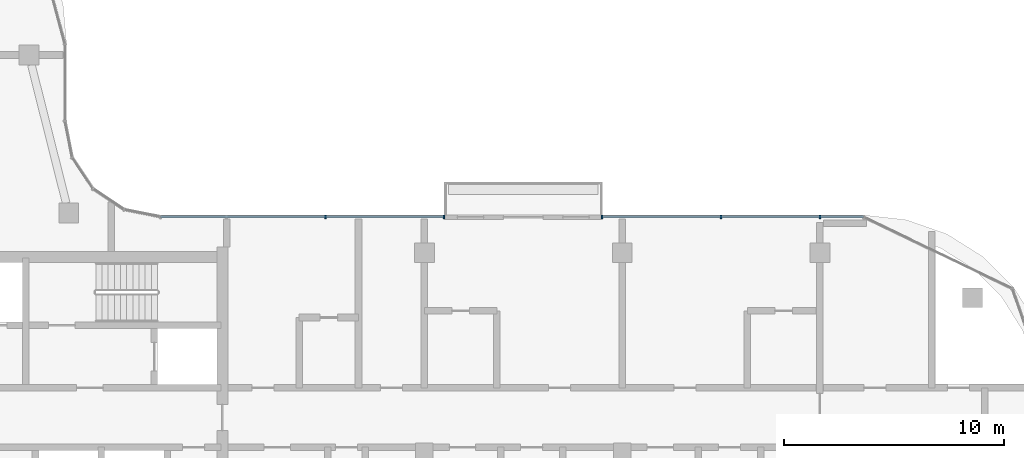
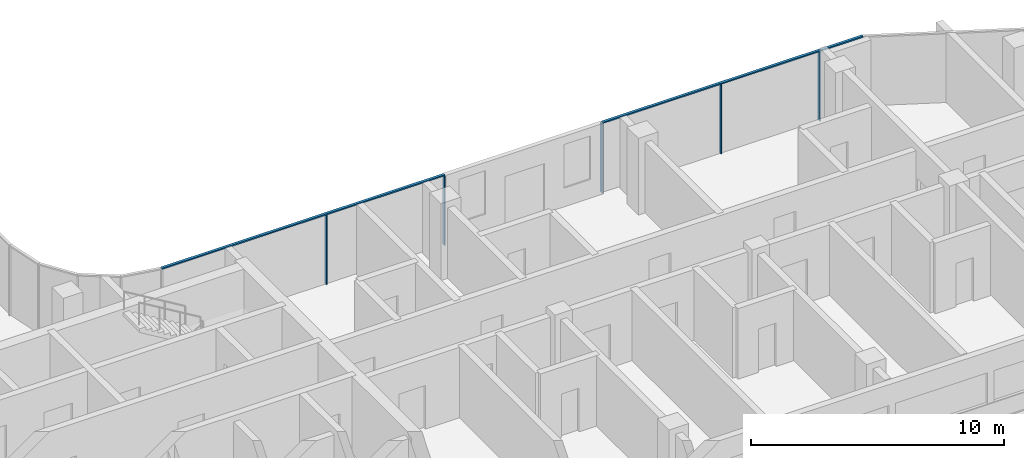
# One storey, part 4 of 19: 7 members, 2 elements without a shape of their own.
"""IFC4 building model written with IfcOpenShell, lengths in metres."""

from ifc_helpers import new_model, si_unit, direction, frame, origin, origin_2d, place, context, subcontext, project, spatial, rectangle, extrude, material, material_profile, profile_set, type_object, element, aggregate, save


model = new_model("IFC4")

# Units and contexts
model_context = context("Model", 3, precision=1e-05, world=origin(), true_north=direction((0.0, 1.0)))
body_context = subcontext(model_context, "Body", "Model", "MODEL_VIEW")
ifc_project = project(units=[si_unit("LENGTHUNIT", "METRE"), si_unit("AREAUNIT", "SQUARE_METRE"), si_unit("VOLUMEUNIT", "CUBIC_METRE"), si_unit("PLANEANGLEUNIT", "RADIAN"), si_unit("MASSUNIT", "GRAM", prefix="KILO")], contexts=[model_context])

# Site, building, storey
site_placement = place(None, origin())
site = spatial("IfcSite", under=ifc_project, at=site_placement, CompositionType="ELEMENT")
building_placement = place(site_placement, origin())
building = spatial("IfcBuilding", under=site, at=building_placement, Name="Ogive Portal Towers", CompositionType="ELEMENT")
storey_placement = place(building_placement, frame((0.0, 0.0, 199.5)))
storey = spatial("IfcBuildingStorey", under=building, at=storey_placement, Name="L49", CompositionType="ELEMENT", Elevation=199.5)

# Curtain wall, members
ifc_material_1 = material(Name="Glass, clear low-iron insulated glazing", Category="glass")
curtain_wall_type = type_object("IfcCurtainWallType", Name="CW FRONT RIBBON 4500", PredefinedType="NOTDEFINED", material=ifc_material_1)
curtain_wall_1_placement = place(storey_placement, origin())
curtain_wall_1 = element("IfcCurtainWall", 1, at=curtain_wall_1_placement, inside=storey, type_object=curtain_wall_type, Name="A:L49:f13:cw0", PredefinedType="NOTDEFINED")
ifc_material_2 = material(Name="Aluminium 6063 anodised", Category="aluminium")
ifc_material_profile_1 = material_profile(ifc_material_2, rectangle(XDim=0.159912109375, YDim=0.06005859375, at=origin_2d()), Name="AL 60x160")
ifc_profile_set_1 = profile_set([ifc_material_profile_1], Name="Aluminium 6063 anodised")
member_type_1 = type_object("IfcMemberType", Name="CW MULLION 60x160", PredefinedType="MULLION", material=ifc_profile_set_1)
member_1_placement = place(storey_placement, frame((85.5, 41.135009765625, 0.0), z_axis=(0.0, 0.0, 1.0), x_axis=(0.0, -1.0, 0.0)))
member_1 = element("IfcMember", 2, at=member_1_placement, type_object=member_type_1, Name="mullion", PredefinedType="MULLION", context=body_context, shape_type="SweptSolid", body=[
    extrude(rectangle(XDim=0.159912109375, YDim=0.06005859375, at=origin_2d()), origin(), (0.0, 0.0, 1.0), 3.340087890625),
])
member_2_placement = place(storey_placement, frame((81.0, 41.135009765625, 0.0), z_axis=(0.0, 0.0, 1.0), x_axis=(0.0, -1.0, 0.0)))
member_2 = element("IfcMember", 3, at=member_2_placement, type_object=member_type_1, Name="mullion", PredefinedType="MULLION", context=body_context, shape_type="SweptSolid", body=[
    extrude(rectangle(XDim=0.159912109375, YDim=0.06005859375, at=origin_2d()), origin(), (0.0, 0.0, 1.0), 3.340087890625),
])
member_3_placement = place(storey_placement, frame((75.585693359375, 41.135009765625, 0.0), z_axis=(0.0, 0.0, 1.0), x_axis=(0.0, -1.0, 0.0)))
member_3 = element("IfcMember", 4, at=member_3_placement, type_object=member_type_1, Name="mullion", PredefinedType="MULLION", context=body_context, shape_type="SweptSolid", body=[
    extrude(rectangle(XDim=0.159912109375, YDim=0.06005859375, at=origin_2d()), origin(), (0.0, 0.0, 1.0), 3.340087890625),
])

curtain_wall_2_placement = place(storey_placement, origin())
curtain_wall_2 = element("IfcCurtainWall", 5, at=curtain_wall_2_placement, inside=storey, type_object=curtain_wall_type, Name="A:L49:f13:cw1", PredefinedType="NOTDEFINED")
member_4_placement = place(storey_placement, frame((68.387939453125, 41.135009765625, 0.0), z_axis=(0.0, 0.0, 1.0), x_axis=(0.0, -1.0, 0.0)))
member_4 = element("IfcMember", 6, at=member_4_placement, type_object=member_type_1, Name="mullion", PredefinedType="MULLION", context=body_context, shape_type="SweptSolid", body=[
    extrude(rectangle(XDim=0.159912109375, YDim=0.06005859375, at=origin_2d()), origin(), (0.0, 0.0, 1.0), 3.340087890625),
])
member_5_placement = place(storey_placement, frame((63.0, 41.135009765625, 0.0), z_axis=(0.0, 0.0, 1.0), x_axis=(0.0, -1.0, 0.0)))
member_5 = element("IfcMember", 7, at=member_5_placement, type_object=member_type_1, Name="mullion", PredefinedType="MULLION", context=body_context, shape_type="SweptSolid", body=[
    extrude(rectangle(XDim=0.159912109375, YDim=0.06005859375, at=origin_2d()), origin(), (0.0, 0.0, 1.0), 3.340087890625),
])

# Member
ifc_material_profile_2 = material_profile(ifc_material_2, rectangle(XDim=0.1201171875, YDim=0.06005859375, at=origin_2d()), Name="AL 120x60")
ifc_profile_set_2 = profile_set([ifc_material_profile_2], Name="Aluminium 6063 anodised")
member_type_2 = type_object("IfcMemberType", Name="CW TRANSOM 60x120", PredefinedType="USERDEFINED", material=ifc_profile_set_2)
member_6_placement = place(storey_placement, frame((87.481689453125, 41.135009765625, 3.3701171875), z_axis=(-1.0, 0.0, 0.0), x_axis=(0.0, -1.0, 0.0)))
member_6 = element("IfcMember", 8, at=member_6_placement, type_object=member_type_2, Name="transom", ObjectType="TRANSOM", PredefinedType="USERDEFINED", context=body_context, shape_type="SweptSolid", body=[
    extrude(rectangle(XDim=0.1201171875, YDim=0.06005859375, at=origin_2d()), origin(), (0.0, 0.0, 1.0), 11.89599609375),
])

aggregate(curtain_wall_1, [member_6, member_1, member_2, member_3])

member_7_placement = place(storey_placement, frame((68.387939453125, 41.135009765625, 3.3701171875), z_axis=(-1.0, 0.0, 0.0), x_axis=(0.0, -1.0, 0.0)))
member_7 = element("IfcMember", 9, at=member_7_placement, type_object=member_type_2, Name="transom", ObjectType="TRANSOM", PredefinedType="USERDEFINED", context=body_context, shape_type="SweptSolid", body=[
    extrude(rectangle(XDim=0.1201171875, YDim=0.06005859375, at=origin_2d()), origin(), (0.0, 0.0, 1.0), 12.895751953125),
])

aggregate(curtain_wall_2, [member_7, member_4, member_5])

save(model, "model.ifc")
